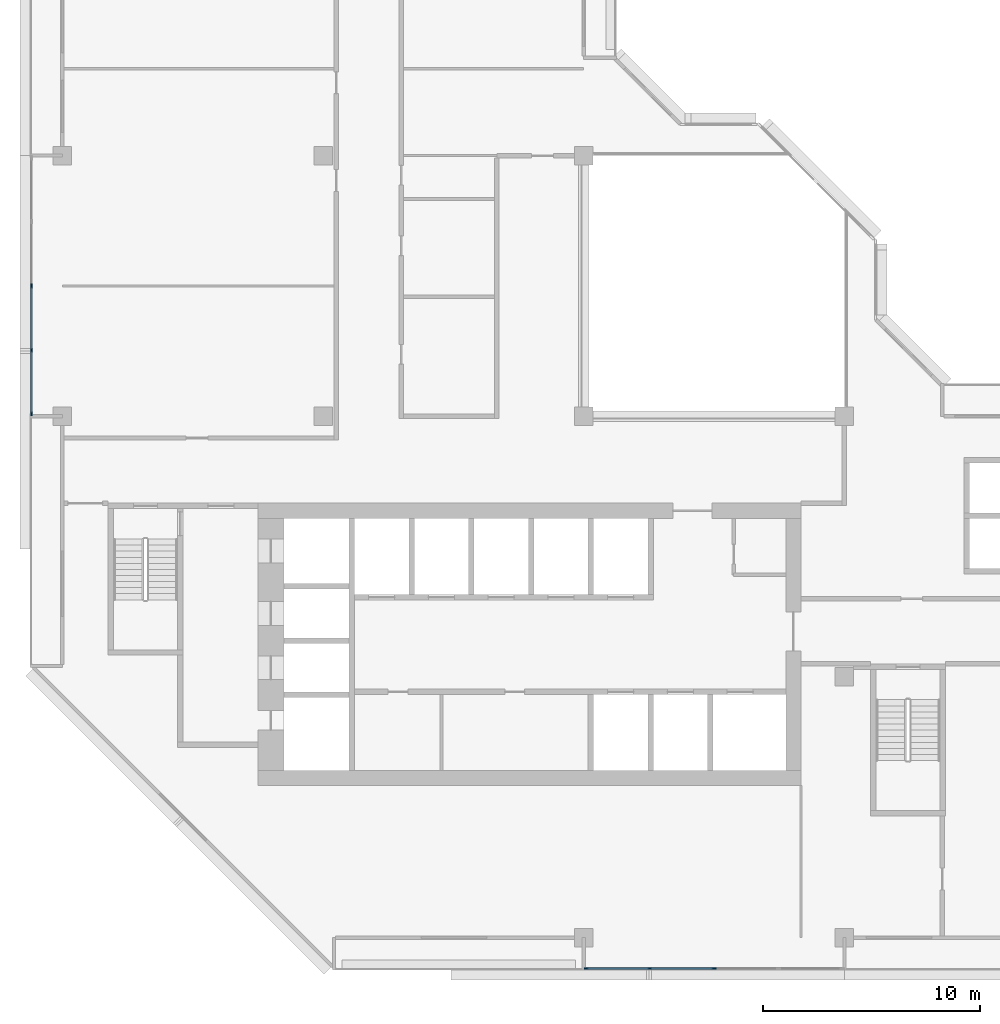
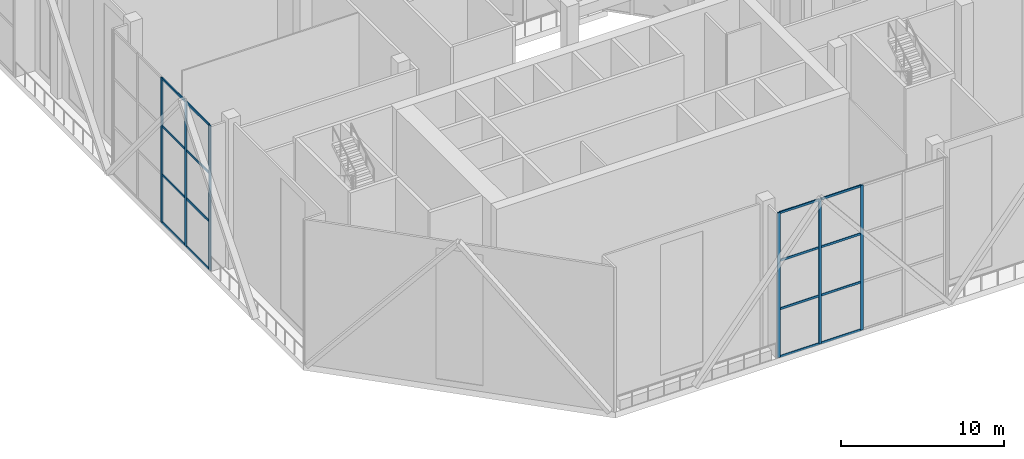
# One storey, part 2 of 18: 22 members, 2 elements without a shape of their own.
"""IFC4 building model written with IfcOpenShell, lengths in metres."""

import ifcopenshell
import ifcopenshell.guid

model = None  # the IFC model being written
_history = None  # IfcOwnerHistory: only IFC2X3 demands one
_inside = {}  # id of a spatial element -> (the spatial element, [elements in it])
_under = {}  # id of a project, library or spatial element -> (it, [spatial elements below it])
_declared = {}  # id of a project -> (the project, [libraries it declares])
_typed = {}  # id of a type object -> (the type object, [elements of that type])
_made_of = {}  # id of a material, layer set ... -> (it, [elements and type objects made of it])


def new_model(schema):
    """Start an empty IFC model of exactly this schema.

    Asked for "IFC4X3", IfcOpenShell would pick the latest addendum, in which some entities
    have other attributes; the version numbers below select the first issue.
    IFC2X3 requires an IfcOwnerHistory on every rooted entity: one is made here for all.
    """
    global model, _history
    if schema == "IFC4X3":
        model = ifcopenshell.file(schema_version=(4, 3, 0, 0))
    else:
        model = ifcopenshell.file(schema=schema)
    _inside.clear()
    _under.clear()
    _declared.clear()
    _typed.clear()
    _made_of.clear()
    _history = None
    if model.schema == "IFC2X3":
        org = make("IfcOrganization", Name="unknown")
        user = make(
            "IfcPersonAndOrganization",
            ThePerson=make("IfcPerson", FamilyName="unknown"),
            TheOrganization=org,
        )
        app = make(
            "IfcApplication",
            ApplicationDeveloper=org,
            Version="unknown",
            ApplicationFullName="unknown",
            ApplicationIdentifier="unknown",
        )
        _history = make(
            "IfcOwnerHistory",
            OwningUser=user,
            OwningApplication=app,
            ChangeAction="ADDED",
            CreationDate=0,
        )
    return model


def make(cls, **values):
    """One entity of the class cls with the attributes given. An attribute that is None is left unset."""
    return model.create_entity(
        cls, **{name: value for name, value in values.items() if value is not None}
    )


def rooted(cls, **values):
    """An entity with a GlobalId (a new one), such as an element, a storey or a relation."""
    return make(cls, GlobalId=ifcopenshell.guid.new(), OwnerHistory=_history, **values)


def si_unit(unit_type, name, prefix=None):
    """IfcSIUnit, for example si_unit("LENGTHUNIT", "METRE", prefix="MILLI")."""
    return make("IfcSIUnit", UnitType=unit_type, Prefix=prefix, Name=name)


def assignment(units):
    """IfcUnitAssignment: the units of a project."""
    return None if units is None else make("IfcUnitAssignment", Units=units)


def point(xyz):
    """IfcCartesianPoint."""
    return None if xyz is None else make("IfcCartesianPoint", Coordinates=xyz)


def direction(xyz):
    """IfcDirection."""
    return None if xyz is None else make("IfcDirection", DirectionRatios=xyz)


def frame(location, z_axis=None, x_axis=None):
    """IfcAxis2Placement3D, a coordinate frame: its origin and axes. An axis left out is left unset."""
    return make(
        "IfcAxis2Placement3D",
        Location=point(location),
        Axis=direction(z_axis),
        RefDirection=direction(x_axis),
    )


def frame_2d(location, x_axis=None):
    """IfcAxis2Placement2D, a coordinate frame in the plane: its origin and x axis."""
    return make(
        "IfcAxis2Placement2D", Location=point(location), RefDirection=direction(x_axis)
    )


def origin():
    """The frame at (0, 0, 0) with its axes left unset."""
    return frame((0.0, 0.0, 0.0))


def origin_2d():
    """The frame at (0, 0) in the plane with its x axis left unset."""
    return frame_2d((0.0, 0.0))


def place(relative_to, where):
    """IfcLocalPlacement: puts the frame where relative to a parent placement (None: the world)."""
    return make(
        "IfcLocalPlacement", PlacementRelTo=relative_to, RelativePlacement=where
    )


def context(
    kind, dimensions, precision=None, world=None, true_north=None, identifier=None
):
    """IfcGeometricRepresentationContext, for example the 3D "Model" context."""
    return make(
        "IfcGeometricRepresentationContext",
        ContextIdentifier=identifier,
        ContextType=kind,
        CoordinateSpaceDimension=dimensions,
        Precision=precision,
        WorldCoordinateSystem=world,
        TrueNorth=true_north,
    )


def subcontext(parent, identifier, kind, view, scale=None):
    """IfcGeometricRepresentationSubContext, for example "Body" below "Model"."""
    return make(
        "IfcGeometricRepresentationSubContext",
        ContextIdentifier=identifier,
        ContextType=kind,
        ParentContext=parent,
        TargetScale=scale,
        TargetView=view,
    )


def project(units=None, contexts=None):
    """IfcProject with its units and contexts."""
    return rooted(
        "IfcProject",
        Name="project",
        RepresentationContexts=contexts,
        UnitsInContext=assignment(units),
    )


def spatial(cls, under=None, at=None, **own):
    """A site, building, storey or space (cls), placed at a placement, below another one or the project."""
    s = rooted(cls, ObjectPlacement=at, **own)
    if under is not None:
        _under.setdefault(under.id(), (under, []))[1].append(s)
    return s


def profile(cls, at=None, kind="AREA", **sizes):
    """A parametric profile (cls). Its sizes go by their IFC names, for example OverallWidth=200.0."""
    return make(cls, ProfileType=kind, Position=at, **sizes)


def rectangle(**sizes):
    """IfcRectangleProfileDef."""
    return profile("IfcRectangleProfileDef", **sizes)


def extrude(swept, where, along, depth):
    """IfcExtrudedAreaSolid: the profile swept, set in the frame where, extruded along a direction by depth."""
    return make(
        "IfcExtrudedAreaSolid",
        SweptArea=swept,
        Position=where,
        ExtrudedDirection=direction(along),
        Depth=depth,
    )


def shape(context_of_items, identifier, shape_type, items):
    """IfcShapeRepresentation: the items that make up one representation, for example the "Body"."""
    return make(
        "IfcShapeRepresentation",
        ContextOfItems=context_of_items,
        RepresentationIdentifier=identifier,
        RepresentationType=shape_type,
        Items=items,
    )


def material(Name=None, Category=None):
    """IfcMaterial."""
    return make("IfcMaterial", Name=Name, Category=Category)


def layer(
    of_material, thickness, ventilated=None, Name=None, Category=None, Priority=None
):
    """IfcMaterialLayer: one layer of a wall or slab, of a material (None: an air gap)."""
    return make(
        "IfcMaterialLayer",
        Material=of_material,
        LayerThickness=thickness,
        IsVentilated=ventilated,
        Name=Name,
        Category=Category,
        Priority=Priority,
    )


def layer_set(layers, Name=None):
    """IfcMaterialLayerSet."""
    return make("IfcMaterialLayerSet", MaterialLayers=layers, LayerSetName=Name)


def material_profile(
    of_material, cross_section, Name=None, Category=None, Priority=None
):
    """IfcMaterialProfile: a cross section and its material."""
    return make(
        "IfcMaterialProfile",
        Name=Name,
        Material=of_material,
        Profile=cross_section,
        Priority=Priority,
        Category=Category,
    )


def profile_set(profiles, Name=None, composite=None):
    """IfcMaterialProfileSet."""
    return make(
        "IfcMaterialProfileSet",
        Name=Name,
        MaterialProfiles=profiles,
        CompositeProfile=composite,
    )


def made_of(thing, what):
    """Note that an element or type object is made of a material, layer set ...; save() writes the relation."""
    if what is not None:
        _made_of.setdefault(what.id(), (what, []))[1].append(thing)
    return thing


def type_object(cls, material=None, **own):
    """A type object (cls), such as IfcWallType, which elements share."""
    return made_of(rooted(cls, **own), material)


def element(
    cls,
    number,
    at=None,
    inside=None,
    cuts=None,
    type_object=None,
    material=None,
    context=None,
    identifier="Body",
    shape_type=None,
    held_by="IfcProductDefinitionShape",
    body=None,
    shapes=None,
    **own,
):
    """One element of the class cls, such as IfcWall. Its Tag is "e" and its number.

    at: its placement. inside: the storey or other place that contains it. cuts: it is an
    opening in that element (IfcRelVoidsElement). A single representation is given by context,
    identifier, shape_type and body (its items); several are given by shapes. held_by: the class
    of the entity that holds the representations. save() writes the other relations.
    """
    e = rooted(cls, Tag="e%d" % number, ObjectPlacement=at, **own)
    if body is not None:
        shapes = [shape(context, identifier, shape_type, body)]
    if shapes is not None:
        e.Representation = make(held_by, Representations=shapes)
    if inside is not None:
        _inside.setdefault(inside.id(), (inside, []))[1].append(e)
    if cuts is not None:
        rooted(
            "IfcRelVoidsElement", RelatingBuildingElement=cuts, RelatedOpeningElement=e
        )
    if type_object is not None:
        _typed.setdefault(type_object.id(), (type_object, []))[1].append(e)
    return made_of(e, material)


def aggregate(whole, parts):
    """IfcRelAggregates: a whole, such as a stair, and the parts it consists of."""
    return rooted("IfcRelAggregates", RelatingObject=whole, RelatedObjects=parts)


def save(model, path):
    """Write the relations noted so far, then the file.

    IfcRelAggregates (storeys below a building ...), IfcRelContainedInSpatialStructure (elements
    in a storey), IfcRelDefinesByType, IfcRelAssociatesMaterial and IfcRelDeclares: one each for
    every whole, place, type object, material and project.
    """
    for whole, parts in _under.values():
        aggregate(whole, parts)
    for where, things in _inside.values():
        rooted(
            "IfcRelContainedInSpatialStructure",
            RelatedElements=things,
            RelatingStructure=where,
        )
    for kind, things in _typed.values():
        rooted("IfcRelDefinesByType", RelatedObjects=things, RelatingType=kind)
    for what, things in _made_of.values():
        rooted("IfcRelAssociatesMaterial", RelatedObjects=things, RelatingMaterial=what)
    for by, libraries in _declared.values():
        rooted("IfcRelDeclares", RelatingContext=by, RelatedDefinitions=libraries)
    model.write(path)


model = new_model("IFC4")

# Units and contexts
model_context = context("Model", 3, precision=1e-05, world=origin(), true_north=direction((0.0, 1.0)))
body_context = subcontext(model_context, "Body", "Model", "MODEL_VIEW")
ifc_project = project(units=[si_unit("LENGTHUNIT", "METRE"), si_unit("AREAUNIT", "SQUARE_METRE"), si_unit("VOLUMEUNIT", "CUBIC_METRE"), si_unit("PLANEANGLEUNIT", "RADIAN"), si_unit("MASSUNIT", "GRAM", prefix="KILO")], contexts=[model_context])

# Site, building, storey
site_placement = place(None, origin())
site = spatial("IfcSite", under=ifc_project, at=site_placement, CompositionType="ELEMENT")
building_placement = place(site_placement, origin())
building = spatial("IfcBuilding", under=site, at=building_placement, Name="Chenar Terraces", CompositionType="ELEMENT")
storey_placement = place(building_placement, frame((0.0, 0.0, 262.14990234375)))
storey = spatial("IfcBuildingStorey", under=building, at=storey_placement, Name="L62", CompositionType="ELEMENT", Elevation=262.14990234375)

# Curtain wall, members
ifc_material_1 = material(Name="Aluminium framed glazing", Category="aluminium")
ifc_layer = layer(ifc_material_1, 0.14990234375)
ifc_layer_set = layer_set([ifc_layer], Name="Aluminium framed glazing")
curtain_wall_type = type_object("IfcCurtainWallType", Name="Sky garden curtain wall", PredefinedType="NOTDEFINED", material=ifc_layer_set)
placement = place(storey_placement, origin())
curtain_wall_1 = element("IfcCurtainWall", 1, at=placement, inside=storey, type_object=curtain_wall_type, Name="Sky garden curtain wall", PredefinedType="NOTDEFINED")
ifc_material_2 = material(Name="Aluminium", Category="aluminium")
ifc_material_profile_1 = material_profile(ifc_material_2, rectangle(XDim=0.080078125, YDim=0.199951171875, at=origin_2d()), Name="Sky garden mullion 80 x 200")
ifc_profile_set_1 = profile_set([ifc_material_profile_1], Name="Aluminium")
member_type_1 = type_object("IfcMemberType", Name="Sky garden mullion 80 x 200", PredefinedType="MULLION", material=ifc_profile_set_1)
member_1_placement = place(storey_placement, frame((-1.425048828125, 30.0, 0.0), z_axis=(0.0, 0.0, 1.0), x_axis=(1.0, 0.0, 0.0)))
member_1 = element("IfcMember", 2, at=member_1_placement, type_object=member_type_1, Name="CW3-06 mullion 3", PredefinedType="MULLION", context=body_context, shape_type="SweptSolid", body=[
    extrude(rectangle(XDim=0.080078125, YDim=0.199951171875, at=origin_2d()), origin(), (0.0, 0.0, 1.0), 10.85009765625),
])
member_2_placement = place(storey_placement, frame((-1.425048828125, 27.03759765625, 0.0), z_axis=(0.0, 0.0, 1.0), x_axis=(1.0, 0.0, 0.0)))
member_2 = element("IfcMember", 3, at=member_2_placement, type_object=member_type_1, Name="CW3-06 mullion 4", PredefinedType="MULLION", context=body_context, shape_type="SweptSolid", body=[
    extrude(rectangle(XDim=0.080078125, YDim=0.199951171875, at=origin_2d()), origin(), (0.0, 0.0, 1.0), 10.85009765625),
])
member_3_placement = place(storey_placement, frame((-1.425048828125, 24.114990234375, 0.0), z_axis=(0.0, 0.0, 1.0), x_axis=(1.0, 0.0, 0.0)))
member_3 = element("IfcMember", 4, at=member_3_placement, type_object=member_type_1, Name="CW3-06 mullion 5", PredefinedType="MULLION", context=body_context, shape_type="SweptSolid", body=[
    extrude(rectangle(XDim=0.080078125, YDim=0.199951171875, at=origin_2d()), origin(), (0.0, 0.0, 1.0), 10.85009765625),
])

curtain_wall_2 = element("IfcCurtainWall", 5, at=placement, inside=storey, type_object=curtain_wall_type, Name="Sky garden curtain wall", PredefinedType="NOTDEFINED")
member_4_placement = place(storey_placement, frame((24.114990234375, -1.425048828125, 0.0), z_axis=(0.0, 0.0, 1.0), x_axis=(0.0, 1.0, 0.0)))
member_4 = element("IfcMember", 6, at=member_4_placement, type_object=member_type_1, Name="CW3-07 mullion 1", PredefinedType="MULLION", context=body_context, shape_type="SweptSolid", body=[
    extrude(rectangle(XDim=0.080078125, YDim=0.199951171875, at=origin_2d()), origin(), (0.0, 0.0, 1.0), 10.85009765625),
])
member_5_placement = place(storey_placement, frame((27.03759765625, -1.425048828125, 0.0), z_axis=(0.0, 0.0, 1.0), x_axis=(0.0, 1.0, 0.0)))
member_5 = element("IfcMember", 7, at=member_5_placement, type_object=member_type_1, Name="CW3-07 mullion 2", PredefinedType="MULLION", context=body_context, shape_type="SweptSolid", body=[
    extrude(rectangle(XDim=0.080078125, YDim=0.199951171875, at=origin_2d()), origin(), (0.0, 0.0, 1.0), 10.85009765625),
])
member_6_placement = place(storey_placement, frame((30.0, -1.425048828125, 0.0), z_axis=(0.0, 0.0, 1.0), x_axis=(0.0, 1.0, 0.0)))
member_6 = element("IfcMember", 8, at=member_6_placement, type_object=member_type_1, Name="CW3-07 mullion 3", PredefinedType="MULLION", context=body_context, shape_type="SweptSolid", body=[
    extrude(rectangle(XDim=0.080078125, YDim=0.199951171875, at=origin_2d()), origin(), (0.0, 0.0, 1.0), 10.85009765625),
])

# Member
ifc_material_3 = material(Name="Aluminium", Category="aluminium")
ifc_material_profile_2 = material_profile(ifc_material_3, rectangle(XDim=0.080078125, YDim=0.159912109375, at=origin_2d()), Name="Sky garden transom 80 x 160")
ifc_profile_set_2 = profile_set([ifc_material_profile_2], Name="Aluminium")
member_type_2 = type_object("IfcMemberType", Name="Sky garden transom 80 x 160", PredefinedType="USERDEFINED", material=ifc_profile_set_2)
member_7_placement = place(storey_placement, frame((-1.425048828125, 29.9599609375, 0.0400390625), z_axis=(0.0, -1.0, 0.0), x_axis=(1.0, 0.0, 0.0)))
member_7 = element("IfcMember", 9, at=member_7_placement, type_object=member_type_2, Name="CW3-06 transom 3.1", ObjectType="TRANSOM", PredefinedType="USERDEFINED", context=body_context, shape_type="SweptSolid", body=[
    extrude(rectangle(XDim=0.080078125, YDim=0.159912109375, at=origin_2d()), origin(), (0.0, 0.0, 1.0), 2.882568359375),
])

member_8_placement = place(storey_placement, frame((-1.425048828125, 29.9599609375, 3.6171875), z_axis=(0.0, -1.0, 0.0), x_axis=(1.0, 0.0, 0.0)))
member_8 = element("IfcMember", 10, at=member_8_placement, type_object=member_type_2, Name="CW3-06 transom 3.2", ObjectType="TRANSOM", PredefinedType="USERDEFINED", context=body_context, shape_type="SweptSolid", body=[
    extrude(rectangle(XDim=0.080078125, YDim=0.159912109375, at=origin_2d()), origin(), (0.0, 0.0, 1.0), 2.882568359375),
])

member_9_placement = place(storey_placement, frame((-1.425048828125, 29.9599609375, 7.233154296875), z_axis=(0.0, -1.0, 0.0), x_axis=(1.0, 0.0, 0.0)))
member_9 = element("IfcMember", 11, at=member_9_placement, type_object=member_type_2, Name="CW3-06 transom 3.3", ObjectType="TRANSOM", PredefinedType="USERDEFINED", context=body_context, shape_type="SweptSolid", body=[
    extrude(rectangle(XDim=0.080078125, YDim=0.159912109375, at=origin_2d()), origin(), (0.0, 0.0, 1.0), 2.882568359375),
])

member_10_placement = place(storey_placement, frame((-1.425048828125, 29.9599609375, 10.81005859375), z_axis=(0.0, -1.0, 0.0), x_axis=(1.0, 0.0, 0.0)))
member_10 = element("IfcMember", 12, at=member_10_placement, type_object=member_type_2, Name="CW3-06 transom 3.4", ObjectType="TRANSOM", PredefinedType="USERDEFINED", context=body_context, shape_type="SweptSolid", body=[
    extrude(rectangle(XDim=0.080078125, YDim=0.159912109375, at=origin_2d()), origin(), (0.0, 0.0, 1.0), 2.882568359375),
])

member_11_placement = place(storey_placement, frame((-1.425048828125, 26.99755859375, 0.0400390625), z_axis=(0.0, -1.0, 0.0), x_axis=(1.0, 0.0, 0.0)))
member_11 = element("IfcMember", 13, at=member_11_placement, type_object=member_type_2, Name="CW3-06 transom 4.1", ObjectType="TRANSOM", PredefinedType="USERDEFINED", context=body_context, shape_type="SweptSolid", body=[
    extrude(rectangle(XDim=0.080078125, YDim=0.159912109375, at=origin_2d()), origin(), (0.0, 0.0, 1.0), 2.842529296875),
])

member_12_placement = place(storey_placement, frame((-1.425048828125, 26.99755859375, 3.6171875), z_axis=(0.0, -1.0, 0.0), x_axis=(1.0, 0.0, 0.0)))
member_12 = element("IfcMember", 14, at=member_12_placement, type_object=member_type_2, Name="CW3-06 transom 4.2", ObjectType="TRANSOM", PredefinedType="USERDEFINED", context=body_context, shape_type="SweptSolid", body=[
    extrude(rectangle(XDim=0.080078125, YDim=0.159912109375, at=origin_2d()), origin(), (0.0, 0.0, 1.0), 2.842529296875),
])

member_13_placement = place(storey_placement, frame((-1.425048828125, 26.99755859375, 7.233154296875), z_axis=(0.0, -1.0, 0.0), x_axis=(1.0, 0.0, 0.0)))
member_13 = element("IfcMember", 15, at=member_13_placement, type_object=member_type_2, Name="CW3-06 transom 4.3", ObjectType="TRANSOM", PredefinedType="USERDEFINED", context=body_context, shape_type="SweptSolid", body=[
    extrude(rectangle(XDim=0.080078125, YDim=0.159912109375, at=origin_2d()), origin(), (0.0, 0.0, 1.0), 2.842529296875),
])

member_14_placement = place(storey_placement, frame((-1.425048828125, 26.99755859375, 10.81005859375), z_axis=(0.0, -1.0, 0.0), x_axis=(1.0, 0.0, 0.0)))
member_14 = element("IfcMember", 16, at=member_14_placement, type_object=member_type_2, Name="CW3-06 transom 4.4", ObjectType="TRANSOM", PredefinedType="USERDEFINED", context=body_context, shape_type="SweptSolid", body=[
    extrude(rectangle(XDim=0.080078125, YDim=0.159912109375, at=origin_2d()), origin(), (0.0, 0.0, 1.0), 2.842529296875),
])

aggregate(curtain_wall_1, [member_1, member_2, member_3, member_7, member_8, member_9, member_10, member_11, member_12, member_13, member_14])

member_15_placement = place(storey_placement, frame((24.155029296875, -1.425048828125, 0.0400390625), z_axis=(1.0, 0.0, 0.0), x_axis=(0.0, 1.0, 0.0)))
member_15 = element("IfcMember", 17, at=member_15_placement, type_object=member_type_2, Name="CW3-07 transom 1.1", ObjectType="TRANSOM", PredefinedType="USERDEFINED", context=body_context, shape_type="SweptSolid", body=[
    extrude(rectangle(XDim=0.080078125, YDim=0.159912109375, at=origin_2d()), origin(), (0.0, 0.0, 1.0), 2.842529296875),
])

member_16_placement = place(storey_placement, frame((24.155029296875, -1.425048828125, 3.6171875), z_axis=(1.0, 0.0, 0.0), x_axis=(0.0, 1.0, 0.0)))
member_16 = element("IfcMember", 18, at=member_16_placement, type_object=member_type_2, Name="CW3-07 transom 1.2", ObjectType="TRANSOM", PredefinedType="USERDEFINED", context=body_context, shape_type="SweptSolid", body=[
    extrude(rectangle(XDim=0.080078125, YDim=0.159912109375, at=origin_2d()), origin(), (0.0, 0.0, 1.0), 2.842529296875),
])

member_17_placement = place(storey_placement, frame((24.155029296875, -1.425048828125, 7.233154296875), z_axis=(1.0, 0.0, 0.0), x_axis=(0.0, 1.0, 0.0)))
member_17 = element("IfcMember", 19, at=member_17_placement, type_object=member_type_2, Name="CW3-07 transom 1.3", ObjectType="TRANSOM", PredefinedType="USERDEFINED", context=body_context, shape_type="SweptSolid", body=[
    extrude(rectangle(XDim=0.080078125, YDim=0.159912109375, at=origin_2d()), origin(), (0.0, 0.0, 1.0), 2.842529296875),
])

member_18_placement = place(storey_placement, frame((24.155029296875, -1.425048828125, 10.81005859375), z_axis=(1.0, 0.0, 0.0), x_axis=(0.0, 1.0, 0.0)))
member_18 = element("IfcMember", 20, at=member_18_placement, type_object=member_type_2, Name="CW3-07 transom 1.4", ObjectType="TRANSOM", PredefinedType="USERDEFINED", context=body_context, shape_type="SweptSolid", body=[
    extrude(rectangle(XDim=0.080078125, YDim=0.159912109375, at=origin_2d()), origin(), (0.0, 0.0, 1.0), 2.842529296875),
])

member_19_placement = place(storey_placement, frame((27.077392578125, -1.425048828125, 0.0400390625), z_axis=(1.0, 0.0, 0.0), x_axis=(0.0, 1.0, 0.0)))
member_19 = element("IfcMember", 21, at=member_19_placement, type_object=member_type_2, Name="CW3-07 transom 2.1", ObjectType="TRANSOM", PredefinedType="USERDEFINED", context=body_context, shape_type="SweptSolid", body=[
    extrude(rectangle(XDim=0.080078125, YDim=0.159912109375, at=origin_2d()), origin(), (0.0, 0.0, 1.0), 2.882568359375),
])

member_20_placement = place(storey_placement, frame((27.077392578125, -1.425048828125, 3.6171875), z_axis=(1.0, 0.0, 0.0), x_axis=(0.0, 1.0, 0.0)))
member_20 = element("IfcMember", 22, at=member_20_placement, type_object=member_type_2, Name="CW3-07 transom 2.2", ObjectType="TRANSOM", PredefinedType="USERDEFINED", context=body_context, shape_type="SweptSolid", body=[
    extrude(rectangle(XDim=0.080078125, YDim=0.159912109375, at=origin_2d()), origin(), (0.0, 0.0, 1.0), 2.882568359375),
])

member_21_placement = place(storey_placement, frame((27.077392578125, -1.425048828125, 7.233154296875), z_axis=(1.0, 0.0, 0.0), x_axis=(0.0, 1.0, 0.0)))
member_21 = element("IfcMember", 23, at=member_21_placement, type_object=member_type_2, Name="CW3-07 transom 2.3", ObjectType="TRANSOM", PredefinedType="USERDEFINED", context=body_context, shape_type="SweptSolid", body=[
    extrude(rectangle(XDim=0.080078125, YDim=0.159912109375, at=origin_2d()), origin(), (0.0, 0.0, 1.0), 2.882568359375),
])

member_22_placement = place(storey_placement, frame((27.077392578125, -1.425048828125, 10.81005859375), z_axis=(1.0, 0.0, 0.0), x_axis=(0.0, 1.0, 0.0)))
member_22 = element("IfcMember", 24, at=member_22_placement, type_object=member_type_2, Name="CW3-07 transom 2.4", ObjectType="TRANSOM", PredefinedType="USERDEFINED", context=body_context, shape_type="SweptSolid", body=[
    extrude(rectangle(XDim=0.080078125, YDim=0.159912109375, at=origin_2d()), origin(), (0.0, 0.0, 1.0), 2.882568359375),
])

aggregate(curtain_wall_2, [member_4, member_5, member_6, member_15, member_16, member_17, member_18, member_19, member_20, member_21, member_22])

save(model, "model.ifc")
